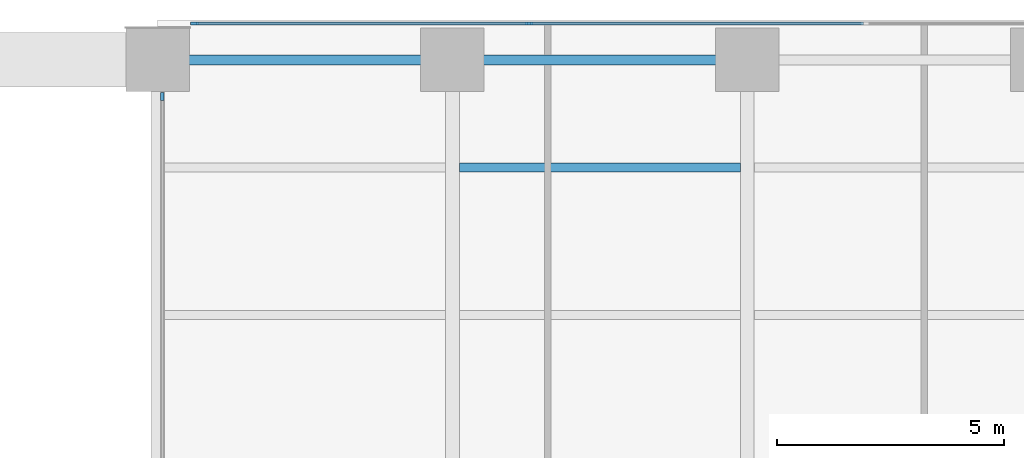
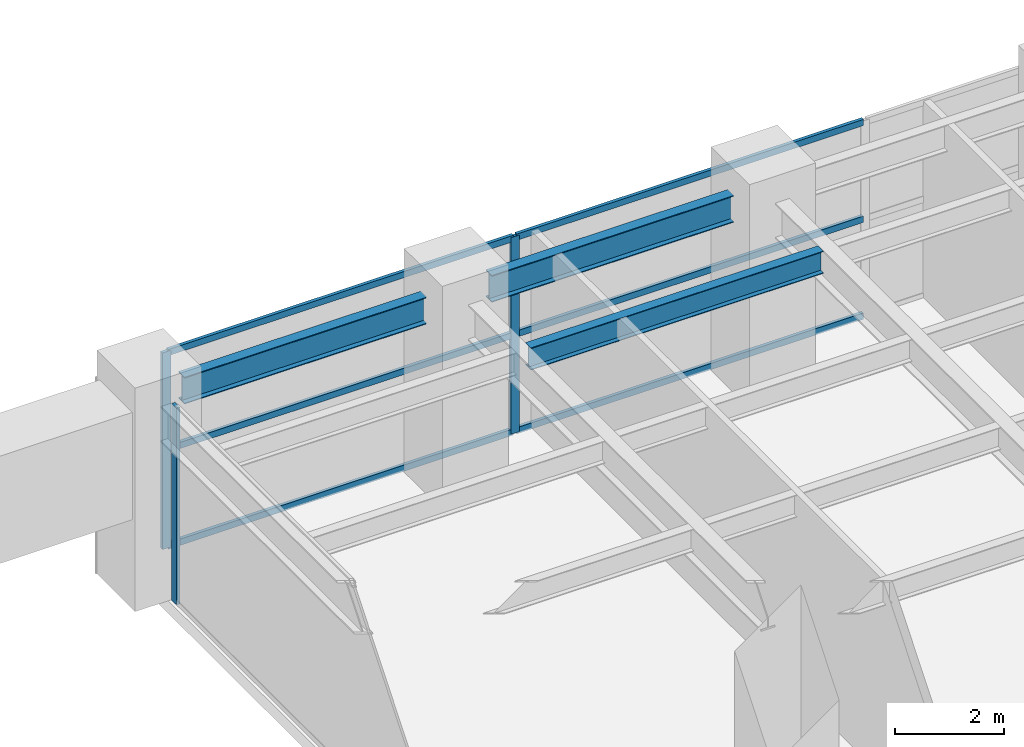
# One storey, part 9 of 23: 9 members, 3 beams, 2 elements without a shape of their own.
"""IFC4 building model written with IfcOpenShell, lengths in metres."""

import ifcopenshell
import ifcopenshell.guid

model = None  # the IFC model being written
_history = None  # IfcOwnerHistory: only IFC2X3 demands one
_inside = {}  # id of a spatial element -> (the spatial element, [elements in it])
_under = {}  # id of a project, library or spatial element -> (it, [spatial elements below it])
_declared = {}  # id of a project -> (the project, [libraries it declares])
_typed = {}  # id of a type object -> (the type object, [elements of that type])
_made_of = {}  # id of a material, layer set ... -> (it, [elements and type objects made of it])


def new_model(schema):
    """Start an empty IFC model of exactly this schema.

    Asked for "IFC4X3", IfcOpenShell would pick the latest addendum, in which some entities
    have other attributes; the version numbers below select the first issue.
    IFC2X3 requires an IfcOwnerHistory on every rooted entity: one is made here for all.
    """
    global model, _history
    if schema == "IFC4X3":
        model = ifcopenshell.file(schema_version=(4, 3, 0, 0))
    else:
        model = ifcopenshell.file(schema=schema)
    _inside.clear()
    _under.clear()
    _declared.clear()
    _typed.clear()
    _made_of.clear()
    _history = None
    if model.schema == "IFC2X3":
        org = make("IfcOrganization", Name="unknown")
        user = make(
            "IfcPersonAndOrganization",
            ThePerson=make("IfcPerson", FamilyName="unknown"),
            TheOrganization=org,
        )
        app = make(
            "IfcApplication",
            ApplicationDeveloper=org,
            Version="unknown",
            ApplicationFullName="unknown",
            ApplicationIdentifier="unknown",
        )
        _history = make(
            "IfcOwnerHistory",
            OwningUser=user,
            OwningApplication=app,
            ChangeAction="ADDED",
            CreationDate=0,
        )
    return model


def make(cls, **values):
    """One entity of the class cls with the attributes given. An attribute that is None is left unset."""
    return model.create_entity(
        cls, **{name: value for name, value in values.items() if value is not None}
    )


def rooted(cls, **values):
    """An entity with a GlobalId (a new one), such as an element, a storey or a relation."""
    return make(cls, GlobalId=ifcopenshell.guid.new(), OwnerHistory=_history, **values)


def si_unit(unit_type, name, prefix=None):
    """IfcSIUnit, for example si_unit("LENGTHUNIT", "METRE", prefix="MILLI")."""
    return make("IfcSIUnit", UnitType=unit_type, Prefix=prefix, Name=name)


def assignment(units):
    """IfcUnitAssignment: the units of a project."""
    return None if units is None else make("IfcUnitAssignment", Units=units)


def point(xyz):
    """IfcCartesianPoint."""
    return None if xyz is None else make("IfcCartesianPoint", Coordinates=xyz)


def direction(xyz):
    """IfcDirection."""
    return None if xyz is None else make("IfcDirection", DirectionRatios=xyz)


def frame(location, z_axis=None, x_axis=None):
    """IfcAxis2Placement3D, a coordinate frame: its origin and axes. An axis left out is left unset."""
    return make(
        "IfcAxis2Placement3D",
        Location=point(location),
        Axis=direction(z_axis),
        RefDirection=direction(x_axis),
    )


def frame_2d(location, x_axis=None):
    """IfcAxis2Placement2D, a coordinate frame in the plane: its origin and x axis."""
    return make(
        "IfcAxis2Placement2D", Location=point(location), RefDirection=direction(x_axis)
    )


def origin():
    """The frame at (0, 0, 0) with its axes left unset."""
    return frame((0.0, 0.0, 0.0))


def origin_2d():
    """The frame at (0, 0) in the plane with its x axis left unset."""
    return frame_2d((0.0, 0.0))


def place(relative_to, where):
    """IfcLocalPlacement: puts the frame where relative to a parent placement (None: the world)."""
    return make(
        "IfcLocalPlacement", PlacementRelTo=relative_to, RelativePlacement=where
    )


def context(
    kind, dimensions, precision=None, world=None, true_north=None, identifier=None
):
    """IfcGeometricRepresentationContext, for example the 3D "Model" context."""
    return make(
        "IfcGeometricRepresentationContext",
        ContextIdentifier=identifier,
        ContextType=kind,
        CoordinateSpaceDimension=dimensions,
        Precision=precision,
        WorldCoordinateSystem=world,
        TrueNorth=true_north,
    )


def subcontext(parent, identifier, kind, view, scale=None):
    """IfcGeometricRepresentationSubContext, for example "Body" below "Model"."""
    return make(
        "IfcGeometricRepresentationSubContext",
        ContextIdentifier=identifier,
        ContextType=kind,
        ParentContext=parent,
        TargetScale=scale,
        TargetView=view,
    )


def project(units=None, contexts=None):
    """IfcProject with its units and contexts."""
    return rooted(
        "IfcProject",
        Name="project",
        RepresentationContexts=contexts,
        UnitsInContext=assignment(units),
    )


def spatial(cls, under=None, at=None, **own):
    """A site, building, storey or space (cls), placed at a placement, below another one or the project."""
    s = rooted(cls, ObjectPlacement=at, **own)
    if under is not None:
        _under.setdefault(under.id(), (under, []))[1].append(s)
    return s


def profile(cls, at=None, kind="AREA", **sizes):
    """A parametric profile (cls). Its sizes go by their IFC names, for example OverallWidth=200.0."""
    return make(cls, ProfileType=kind, Position=at, **sizes)


def rectangle(**sizes):
    """IfcRectangleProfileDef."""
    return profile("IfcRectangleProfileDef", **sizes)


def i_section(**sizes):
    """IfcIShapeProfileDef."""
    return profile("IfcIShapeProfileDef", **sizes)


def extrude(swept, where, along, depth):
    """IfcExtrudedAreaSolid: the profile swept, set in the frame where, extruded along a direction by depth."""
    return make(
        "IfcExtrudedAreaSolid",
        SweptArea=swept,
        Position=where,
        ExtrudedDirection=direction(along),
        Depth=depth,
    )


def shape(context_of_items, identifier, shape_type, items):
    """IfcShapeRepresentation: the items that make up one representation, for example the "Body"."""
    return make(
        "IfcShapeRepresentation",
        ContextOfItems=context_of_items,
        RepresentationIdentifier=identifier,
        RepresentationType=shape_type,
        Items=items,
    )


def material(Name=None, Category=None):
    """IfcMaterial."""
    return make("IfcMaterial", Name=Name, Category=Category)


def layer(
    of_material, thickness, ventilated=None, Name=None, Category=None, Priority=None
):
    """IfcMaterialLayer: one layer of a wall or slab, of a material (None: an air gap)."""
    return make(
        "IfcMaterialLayer",
        Material=of_material,
        LayerThickness=thickness,
        IsVentilated=ventilated,
        Name=Name,
        Category=Category,
        Priority=Priority,
    )


def layer_set(layers, Name=None):
    """IfcMaterialLayerSet."""
    return make("IfcMaterialLayerSet", MaterialLayers=layers, LayerSetName=Name)


def material_profile(
    of_material, cross_section, Name=None, Category=None, Priority=None
):
    """IfcMaterialProfile: a cross section and its material."""
    return make(
        "IfcMaterialProfile",
        Name=Name,
        Material=of_material,
        Profile=cross_section,
        Priority=Priority,
        Category=Category,
    )


def profile_set(profiles, Name=None, composite=None):
    """IfcMaterialProfileSet."""
    return make(
        "IfcMaterialProfileSet",
        Name=Name,
        MaterialProfiles=profiles,
        CompositeProfile=composite,
    )


def made_of(thing, what):
    """Note that an element or type object is made of a material, layer set ...; save() writes the relation."""
    if what is not None:
        _made_of.setdefault(what.id(), (what, []))[1].append(thing)
    return thing


def type_object(cls, material=None, **own):
    """A type object (cls), such as IfcWallType, which elements share."""
    return made_of(rooted(cls, **own), material)


def element(
    cls,
    number,
    at=None,
    inside=None,
    cuts=None,
    type_object=None,
    material=None,
    context=None,
    identifier="Body",
    shape_type=None,
    held_by="IfcProductDefinitionShape",
    body=None,
    shapes=None,
    **own,
):
    """One element of the class cls, such as IfcWall. Its Tag is "e" and its number.

    at: its placement. inside: the storey or other place that contains it. cuts: it is an
    opening in that element (IfcRelVoidsElement). A single representation is given by context,
    identifier, shape_type and body (its items); several are given by shapes. held_by: the class
    of the entity that holds the representations. save() writes the other relations.
    """
    e = rooted(cls, Tag="e%d" % number, ObjectPlacement=at, **own)
    if body is not None:
        shapes = [shape(context, identifier, shape_type, body)]
    if shapes is not None:
        e.Representation = make(held_by, Representations=shapes)
    if inside is not None:
        _inside.setdefault(inside.id(), (inside, []))[1].append(e)
    if cuts is not None:
        rooted(
            "IfcRelVoidsElement", RelatingBuildingElement=cuts, RelatedOpeningElement=e
        )
    if type_object is not None:
        _typed.setdefault(type_object.id(), (type_object, []))[1].append(e)
    return made_of(e, material)


def aggregate(whole, parts):
    """IfcRelAggregates: a whole, such as a stair, and the parts it consists of."""
    return rooted("IfcRelAggregates", RelatingObject=whole, RelatedObjects=parts)


def save(model, path):
    """Write the relations noted so far, then the file.

    IfcRelAggregates (storeys below a building ...), IfcRelContainedInSpatialStructure (elements
    in a storey), IfcRelDefinesByType, IfcRelAssociatesMaterial and IfcRelDeclares: one each for
    every whole, place, type object, material and project.
    """
    for whole, parts in _under.values():
        aggregate(whole, parts)
    for where, things in _inside.values():
        rooted(
            "IfcRelContainedInSpatialStructure",
            RelatedElements=things,
            RelatingStructure=where,
        )
    for kind, things in _typed.values():
        rooted("IfcRelDefinesByType", RelatedObjects=things, RelatingType=kind)
    for what, things in _made_of.values():
        rooted("IfcRelAssociatesMaterial", RelatedObjects=things, RelatingMaterial=what)
    for by, libraries in _declared.values():
        rooted("IfcRelDeclares", RelatingContext=by, RelatedDefinitions=libraries)
    model.write(path)


model = new_model("IFC4")

# Units and contexts
model_context = context("Model", 3, precision=1e-05, world=origin(), true_north=direction((0.0, 1.0)))
body_context = subcontext(model_context, "Body", "Model", "MODEL_VIEW")
ifc_project = project(units=[si_unit("LENGTHUNIT", "METRE"), si_unit("AREAUNIT", "SQUARE_METRE"), si_unit("VOLUMEUNIT", "CUBIC_METRE"), si_unit("PLANEANGLEUNIT", "RADIAN"), si_unit("MASSUNIT", "GRAM", prefix="KILO")], contexts=[model_context])

# Site, building, storey
site_placement = place(None, origin())
site = spatial("IfcSite", under=ifc_project, at=site_placement, CompositionType="ELEMENT")
building_placement = place(site_placement, origin())
building = spatial("IfcBuilding", under=site, at=building_placement, Name="Putna Gate Headquarters", CompositionType="ELEMENT")
storey_placement = place(building_placement, frame((0.0, 0.0, 17.0)))
storey = spatial("IfcBuildingStorey", under=building, at=storey_placement, Name="L03", CompositionType="ELEMENT", Elevation=17.0)

# Beams
ifc_material_1 = material(Name="Steel S355J2", Category="steel")
ifc_material_profile_1 = material_profile(ifc_material_1, i_section(OverallWidth=0.199951171875, OverallDepth=0.5, WebThickness=0.01025390625, FlangeThickness=0.01611328125, at=origin_2d()), Name="Steel S355J2")
ifc_profile_set_1 = profile_set([ifc_material_profile_1], Name="Steel S355J2")
beam_type_1 = type_object("IfcBeamType", Name="BM-SEC-P-IPE500", PredefinedType="BEAM", material=ifc_profile_set_1)
beam_placement = place(storey_placement, frame((58.654052734375, 48.75, 4.14990234375), z_axis=(1.0, 0.0, 0.0), x_axis=(0.0, 1.0, 0.0)))
element("IfcBeam", 1, at=beam_placement, inside=storey, type_object=beam_type_1, Name="L03 North Secondary Beam 6", PredefinedType="BEAM", context=body_context, shape_type="SweptSolid", body=[
    extrude(i_section(OverallWidth=0.199951171875, OverallDepth=0.5, WebThickness=0.01025390625, FlangeThickness=0.01611328125, at=origin_2d()), origin(), (0.0, 0.0, 1.0), 6.19189453125),
])
ifc_material_profile_2 = material_profile(ifc_material_1, i_section(OverallWidth=0.219970703125, OverallDepth=0.60009765625, WebThickness=0.011962890625, FlangeThickness=0.01904296875, at=origin_2d()), Name="Steel S355J2")
ifc_profile_set_2 = profile_set([ifc_material_profile_2], Name="Steel S355J2")
beam_type_2 = type_object("IfcBeamType", Name="BM-SPAN-P-IPE600", PredefinedType="SPANDREL", material=ifc_profile_set_2)
for number, where, z_axis, x_axis, name in (
    (2, (52.68798828125, 51.1201171875, 4.10009765625), (1.0, 0.0, 0.0), (0.0, 1.0, 0.0), "L03 N Perimeter Spandrel 5"),
    (3, (59.18798828125, 51.1201171875, 4.10009765625), (1.0, 0.0, 0.0), (0.0, 1.0, 0.0), "L03 N Perimeter Spandrel 6"),
):
    element("IfcBeam", number, at=place(storey_placement, frame(where, z_axis=z_axis, x_axis=x_axis)), inside=storey, type_object=beam_type_2, Name=name, PredefinedType="SPANDREL", context=body_context, shape_type="SweptSolid", body=[
        extrude(i_section(OverallWidth=0.219970703125, OverallDepth=0.60009765625, WebThickness=0.011962890625, FlangeThickness=0.01904296875, at=origin_2d()), origin(), (0.0, 0.0, 1.0), 5.1240234375),
    ])

# Curtain wall, member
ifc_material_2 = material(Name="Anodised bronze aluminium curtain wall", Category="aluminium")
ifc_layer_1 = layer(ifc_material_2, 0.179931640625)
ifc_layer_set_1 = layer_set([ifc_layer_1], Name="Anodised bronze aluminium curtain wall")
curtain_wall_type_1 = type_object("IfcCurtainWallType", Name="CW-SYS-ATR", PredefinedType="USERDEFINED", material=ifc_layer_set_1)
curtain_wall_1_placement = place(storey_placement, origin())
curtain_wall_1 = element("IfcCurtainWall", 4, at=curtain_wall_1_placement, inside=storey, type_object=curtain_wall_type_1, Name="L03 Arch Flank Glazing E-N2", ObjectType="ATRIUM GLAZING", PredefinedType="USERDEFINED")
ifc_material_3 = material(Name="Anodised bronze aluminium EN AW-6060", Category="aluminium")
ifc_material_profile_3 = material_profile(ifc_material_3, rectangle(XDim=0.070068359375, YDim=0.179931640625, at=origin_2d()), Name="Anodised bronze aluminium EN AW-6060")
ifc_profile_set_3 = profile_set([ifc_material_profile_3], Name="Anodised bronze aluminium EN AW-6060")
member_type_1 = type_object("IfcMemberType", Name="MULL-CWM-AT", PredefinedType="MULLION", material=ifc_profile_set_3)
member_1_placement = place(storey_placement, frame((52.10009765625, 50.31494140625, 0.0), z_axis=(0.0, 0.0, 1.0), x_axis=(-1.0, 0.0, 0.0)))
member_1 = element("IfcMember", 5, at=member_1_placement, type_object=member_type_1, Name="CWS-AT mullion 2", PredefinedType="MULLION", context=body_context, shape_type="SweptSolid", body=[
    extrude(rectangle(XDim=0.070068359375, YDim=0.179931640625, at=origin_2d()), origin(), (0.0, 0.0, 1.0), 4.39990234375),
])
aggregate(curtain_wall_1, [member_1])

# Curtain wall, members
ifc_layer_2 = layer(ifc_material_2, 0.179931640625)
ifc_layer_set_2 = layer_set([ifc_layer_2], Name="Anodised bronze aluminium curtain wall")
curtain_wall_type_2 = type_object("IfcCurtainWallType", Name="CW-SYS-POD", PredefinedType="USERDEFINED", material=ifc_layer_set_2)
curtain_wall_2_placement = place(storey_placement, origin())
curtain_wall_2 = element("IfcCurtainWall", 6, at=curtain_wall_2_placement, inside=storey, type_object=curtain_wall_type_2, Name="L03 North East Curtain Wall", ObjectType="STICK CURTAIN WALL", PredefinedType="USERDEFINED")
ifc_material_profile_4 = material_profile(ifc_material_3, rectangle(XDim=0.070068359375, YDim=0.179931640625, at=origin_2d()), Name="Anodised bronze aluminium EN AW-6060")
ifc_profile_set_4 = profile_set([ifc_material_profile_4], Name="Anodised bronze aluminium EN AW-6060")
member_type_2 = type_object("IfcMemberType", Name="MULL-CWM-P", PredefinedType="MULLION", material=ifc_profile_set_4)
member_2_placement = place(storey_placement, frame((52.81494140625, 51.919921875, 0.0), z_axis=(0.0, 0.0, 1.0), x_axis=(0.0, 1.0, 0.0)))
member_2 = element("IfcMember", 7, at=member_2_placement, type_object=member_type_2, Name="CWS-P mullion 1", PredefinedType="MULLION", context=body_context, shape_type="SweptSolid", body=[
    extrude(rectangle(XDim=0.070068359375, YDim=0.179931640625, at=origin_2d()), origin(), (0.0, 0.0, 1.0), 4.39990234375),
])
member_3_placement = place(storey_placement, frame((60.186767578125, 51.919921875, 0.0), z_axis=(0.0, 0.0, 1.0), x_axis=(0.0, 1.0, 0.0)))
member_3 = element("IfcMember", 8, at=member_3_placement, type_object=member_type_2, Name="CWS-P mullion 2", PredefinedType="MULLION", context=body_context, shape_type="SweptSolid", body=[
    extrude(rectangle(XDim=0.070068359375, YDim=0.179931640625, at=origin_2d()), origin(), (0.0, 0.0, 1.0), 4.39990234375),
])
ifc_material_profile_5 = material_profile(ifc_material_3, rectangle(XDim=0.070068359375, YDim=0.139892578125, at=origin_2d()), Name="Anodised bronze aluminium EN AW-6060")
ifc_profile_set_5 = profile_set([ifc_material_profile_5], Name="Anodised bronze aluminium EN AW-6060")
member_type_3 = type_object("IfcMemberType", Name="TRAN-CWT-P", PredefinedType="USERDEFINED", material=ifc_profile_set_5)
member_4_placement = place(storey_placement, frame((52.85009765625, 51.919921875, 0.034912109375), z_axis=(1.0, 0.0, 0.0), x_axis=(0.0, 1.0, 0.0)))
member_4 = element("IfcMember", 9, at=member_4_placement, type_object=member_type_3, Name="CWS-P transom 1.1", ObjectType="TRANSOM", PredefinedType="USERDEFINED", context=body_context, shape_type="SweptSolid", body=[
    extrude(rectangle(XDim=0.070068359375, YDim=0.139892578125, at=origin_2d()), origin(), (0.0, 0.0, 1.0), 7.301513671875),
])
member_5_placement = place(storey_placement, frame((52.85009765625, 51.919921875, 2.199951171875), z_axis=(1.0, 0.0, 0.0), x_axis=(0.0, 1.0, 0.0)))
member_5 = element("IfcMember", 10, at=member_5_placement, type_object=member_type_3, Name="CWS-P transom 1.2", ObjectType="TRANSOM", PredefinedType="USERDEFINED", context=body_context, shape_type="SweptSolid", body=[
    extrude(rectangle(XDim=0.070068359375, YDim=0.139892578125, at=origin_2d()), origin(), (0.0, 0.0, 1.0), 7.301513671875),
])
member_6_placement = place(storey_placement, frame((52.85009765625, 51.919921875, 4.364990234375), z_axis=(1.0, 0.0, 0.0), x_axis=(0.0, 1.0, 0.0)))
member_6 = element("IfcMember", 11, at=member_6_placement, type_object=member_type_3, Name="CWS-P transom 1.3", ObjectType="TRANSOM", PredefinedType="USERDEFINED", context=body_context, shape_type="SweptSolid", body=[
    extrude(rectangle(XDim=0.070068359375, YDim=0.139892578125, at=origin_2d()), origin(), (0.0, 0.0, 1.0), 7.301513671875),
])
member_7_placement = place(storey_placement, frame((60.2216796875, 51.919921875, 0.034912109375), z_axis=(1.0, 0.0, 0.0), x_axis=(0.0, 1.0, 0.0)))
member_7 = element("IfcMember", 12, at=member_7_placement, type_object=member_type_3, Name="CWS-P transom 2.1", ObjectType="TRANSOM", PredefinedType="USERDEFINED", context=body_context, shape_type="SweptSolid", body=[
    extrude(rectangle(XDim=0.070068359375, YDim=0.139892578125, at=origin_2d()), origin(), (0.0, 0.0, 1.0), 7.336669921875),
])
member_8_placement = place(storey_placement, frame((60.2216796875, 51.919921875, 2.199951171875), z_axis=(1.0, 0.0, 0.0), x_axis=(0.0, 1.0, 0.0)))
member_8 = element("IfcMember", 13, at=member_8_placement, type_object=member_type_3, Name="CWS-P transom 2.2", ObjectType="TRANSOM", PredefinedType="USERDEFINED", context=body_context, shape_type="SweptSolid", body=[
    extrude(rectangle(XDim=0.070068359375, YDim=0.139892578125, at=origin_2d()), origin(), (0.0, 0.0, 1.0), 7.336669921875),
])
member_9_placement = place(storey_placement, frame((60.2216796875, 51.919921875, 4.364990234375), z_axis=(1.0, 0.0, 0.0), x_axis=(0.0, 1.0, 0.0)))
member_9 = element("IfcMember", 14, at=member_9_placement, type_object=member_type_3, Name="CWS-P transom 2.3", ObjectType="TRANSOM", PredefinedType="USERDEFINED", context=body_context, shape_type="SweptSolid", body=[
    extrude(rectangle(XDim=0.070068359375, YDim=0.139892578125, at=origin_2d()), origin(), (0.0, 0.0, 1.0), 7.336669921875),
])
aggregate(curtain_wall_2, [member_2, member_3, member_4, member_5, member_6, member_7, member_8, member_9])

save(model, "model.ifc")
